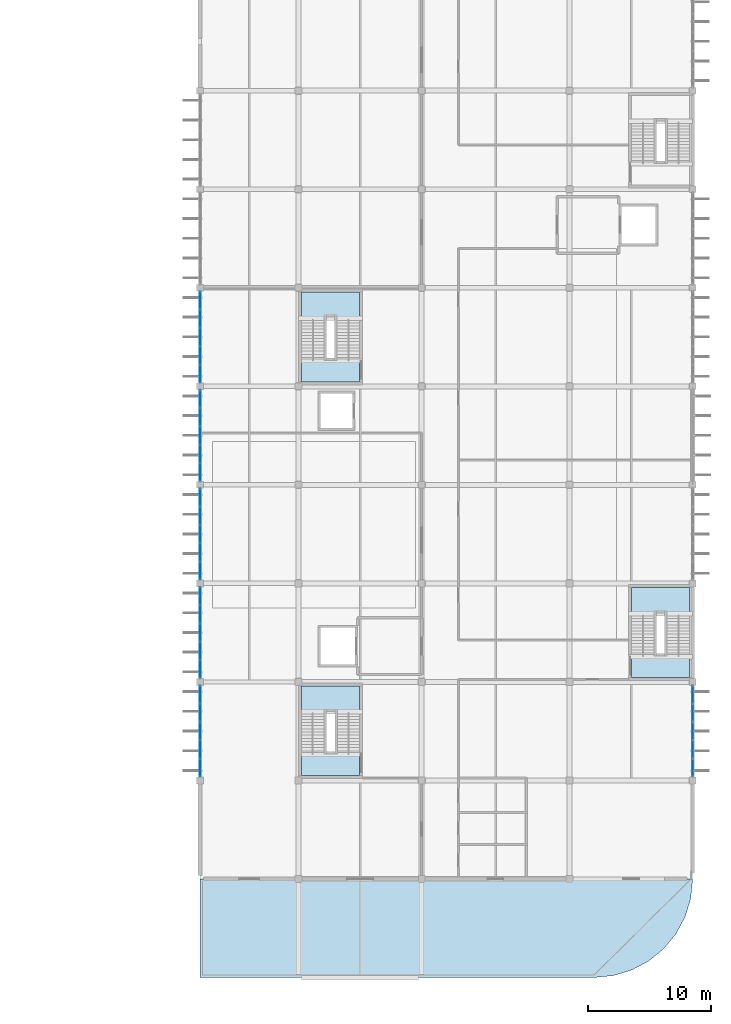
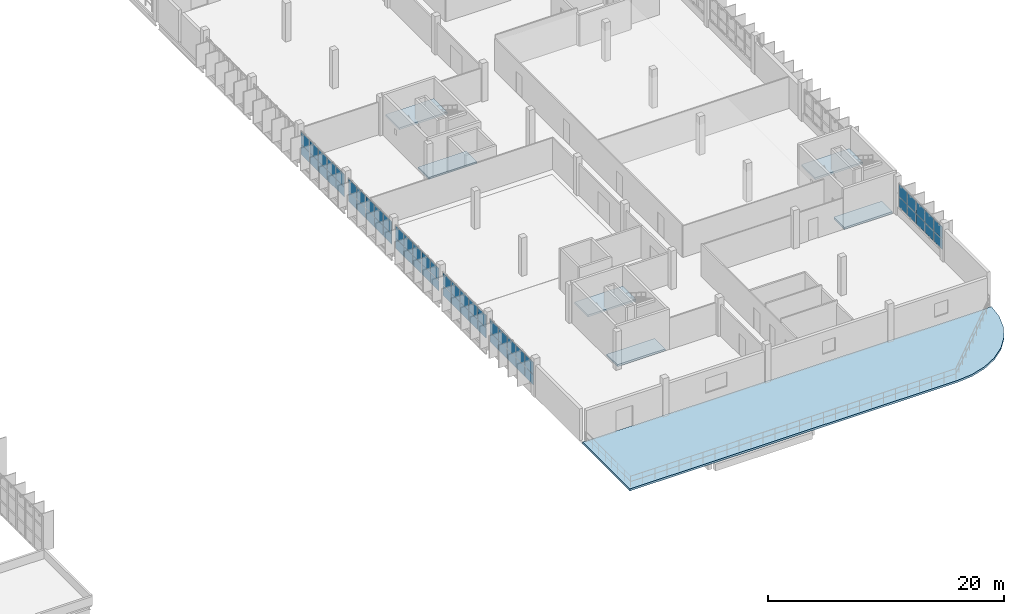
# One storey, part 23 of 38: 60 plates, 7 slabs, 9 elements without a shape of their own.
"""IFC4 building model written with IfcOpenShell, lengths in metres."""

from ifc_helpers import new_model, si_unit, direction, frame, origin, origin_2d, place, context, subcontext, project, spatial, polyline, rectangle, outline, extrude, material, layer, layer_set, type_object, element, aggregate, save


model = new_model("IFC4")

# Units and contexts
model_context = context("Model", 3, precision=1e-05, world=origin(), true_north=direction((0.0, 1.0)))
body_context = subcontext(model_context, "Body", "Model", "MODEL_VIEW")
ifc_project = project(units=[si_unit("LENGTHUNIT", "METRE"), si_unit("AREAUNIT", "SQUARE_METRE"), si_unit("VOLUMEUNIT", "CUBIC_METRE"), si_unit("PLANEANGLEUNIT", "RADIAN"), si_unit("MASSUNIT", "GRAM", prefix="KILO")], contexts=[model_context])

# Site, building, storey
site_placement = place(None, origin())
site = spatial("IfcSite", under=ifc_project, at=site_placement, CompositionType="ELEMENT")
building_placement = place(site_placement, origin())
building = spatial("IfcBuilding", under=site, at=building_placement, Name="Drelvana Railside Aquatics Centre", CompositionType="ELEMENT")
storey_placement = place(building_placement, frame((0.0, 0.0, 14.39990234375)))
storey = spatial("IfcBuildingStorey", under=building, at=storey_placement, Name="L03", CompositionType="ELEMENT", Elevation=14.39990234375)

# Curtain wall, plates
ifc_material_1 = material(Name="Bronze-anodised aluminium curtain wall", Category="aluminium")
ifc_layer_1 = layer(ifc_material_1, 0.175048828125, Name="Bronze-anodised aluminium curtain wall")
ifc_layer_set_1 = layer_set([ifc_layer_1], Name="Bronze-anodised aluminium curtain wall")
curtain_wall_type = type_object("IfcCurtainWallType", Name="CW-Z6-WING", PredefinedType="NOTDEFINED", material=ifc_layer_set_1)
curtain_wall_1_placement = place(storey_placement, origin())
curtain_wall_1 = element("IfcCurtainWall", 1, at=curtain_wall_1_placement, inside=storey, type_object=curtain_wall_type, Name="Curtain wall CW-06-139", PredefinedType="NOTDEFINED")
ifc_material_2 = material(Name="Double-glazed low-e solar-control glass", Category="glass")
ifc_layer_2 = layer(ifc_material_2, 0.02392578125, Name="Double-glazed low-e solar-control glass")
ifc_layer_set_2 = layer_set([ifc_layer_2], Name="Double-glazed low-e solar-control glass")
plate_type = type_object("IfcPlateType", Name="CW-Z6-WING-PAN", PredefinedType="CURTAIN_PANEL", material=ifc_layer_set_2)
plate_1_placement = place(storey_placement, frame((144.0, 25.031494140625, 0.84912109375), z_axis=(0.0, 0.0, 1.0), x_axis=(0.0, 1.0, 0.0)))
plate_1 = element("IfcPlate", 2, at=plate_1_placement, type_object=plate_type, Name="CW-06 panel 1.1", PredefinedType="CURTAIN_PANEL", context=body_context, shape_type="SweptSolid", body=[
    extrude(rectangle(XDim=1.40478515625, YDim=0.02392578125, at=origin_2d()), origin(), (0.0, 0.0, 1.0), 1.02490234375),
])
plate_2_placement = place(storey_placement, frame((144.0, 25.031494140625, 1.924072265625), z_axis=(0.0, 0.0, 1.0), x_axis=(0.0, 1.0, 0.0)))
plate_2 = element("IfcPlate", 3, at=plate_2_placement, type_object=plate_type, Name="CW-06 panel 1.2", PredefinedType="CURTAIN_PANEL", context=body_context, shape_type="SweptSolid", body=[
    extrude(rectangle(XDim=1.40478515625, YDim=0.02392578125, at=origin_2d()), origin(), (0.0, 0.0, 1.0), 1.27099609375),
])
plate_3_placement = place(storey_placement, frame((144.0, 26.507568359375, 0.84912109375), z_axis=(0.0, 0.0, 1.0), x_axis=(0.0, 1.0, 0.0)))
plate_3 = element("IfcPlate", 4, at=plate_3_placement, type_object=plate_type, Name="CW-06 panel 2.1", PredefinedType="CURTAIN_PANEL", context=body_context, shape_type="SweptSolid", body=[
    extrude(rectangle(XDim=1.4375, YDim=0.02392578125, at=origin_2d()), origin(), (0.0, 0.0, 1.0), 1.02490234375),
])
plate_4_placement = place(storey_placement, frame((144.0, 26.507568359375, 1.924072265625), z_axis=(0.0, 0.0, 1.0), x_axis=(0.0, 1.0, 0.0)))
plate_4 = element("IfcPlate", 5, at=plate_4_placement, type_object=plate_type, Name="CW-06 panel 2.2", PredefinedType="CURTAIN_PANEL", context=body_context, shape_type="SweptSolid", body=[
    extrude(rectangle(XDim=1.4375, YDim=0.02392578125, at=origin_2d()), origin(), (0.0, 0.0, 1.0), 1.27099609375),
])
plate_5_placement = place(storey_placement, frame((144.0, 28.0, 0.84912109375), z_axis=(0.0, 0.0, 1.0), x_axis=(0.0, 1.0, 0.0)))
plate_5 = element("IfcPlate", 6, at=plate_5_placement, type_object=plate_type, Name="CW-06 panel 3.1", PredefinedType="CURTAIN_PANEL", context=body_context, shape_type="SweptSolid", body=[
    extrude(rectangle(XDim=1.4375, YDim=0.02392578125, at=origin_2d()), origin(), (0.0, 0.0, 1.0), 1.02490234375),
])
plate_6_placement = place(storey_placement, frame((144.0, 28.0, 1.924072265625), z_axis=(0.0, 0.0, 1.0), x_axis=(0.0, 1.0, 0.0)))
plate_6 = element("IfcPlate", 7, at=plate_6_placement, type_object=plate_type, Name="CW-06 panel 3.2", PredefinedType="CURTAIN_PANEL", context=body_context, shape_type="SweptSolid", body=[
    extrude(rectangle(XDim=1.4375, YDim=0.02392578125, at=origin_2d()), origin(), (0.0, 0.0, 1.0), 1.27099609375),
])
plate_7_placement = place(storey_placement, frame((144.0, 29.492431640625, 0.84912109375), z_axis=(0.0, 0.0, 1.0), x_axis=(0.0, 1.0, 0.0)))
plate_7 = element("IfcPlate", 8, at=plate_7_placement, type_object=plate_type, Name="CW-06 panel 4.1", PredefinedType="CURTAIN_PANEL", context=body_context, shape_type="SweptSolid", body=[
    extrude(rectangle(XDim=1.4375, YDim=0.02392578125, at=origin_2d()), origin(), (0.0, 0.0, 1.0), 1.02490234375),
])
plate_8_placement = place(storey_placement, frame((144.0, 29.492431640625, 1.924072265625), z_axis=(0.0, 0.0, 1.0), x_axis=(0.0, 1.0, 0.0)))
plate_8 = element("IfcPlate", 9, at=plate_8_placement, type_object=plate_type, Name="CW-06 panel 4.2", PredefinedType="CURTAIN_PANEL", context=body_context, shape_type="SweptSolid", body=[
    extrude(rectangle(XDim=1.4375, YDim=0.02392578125, at=origin_2d()), origin(), (0.0, 0.0, 1.0), 1.27099609375),
])
plate_9_placement = place(storey_placement, frame((144.0, 30.968505859375, 0.84912109375), z_axis=(0.0, 0.0, 1.0), x_axis=(0.0, 1.0, 0.0)))
plate_9 = element("IfcPlate", 10, at=plate_9_placement, type_object=plate_type, Name="CW-06 panel 5.1", PredefinedType="CURTAIN_PANEL", context=body_context, shape_type="SweptSolid", body=[
    extrude(rectangle(XDim=1.40478515625, YDim=0.02392578125, at=origin_2d()), origin(), (0.0, 0.0, 1.0), 1.02490234375),
])
plate_10_placement = place(storey_placement, frame((144.0, 30.968505859375, 1.924072265625), z_axis=(0.0, 0.0, 1.0), x_axis=(0.0, 1.0, 0.0)))
plate_10 = element("IfcPlate", 11, at=plate_10_placement, type_object=plate_type, Name="CW-06 panel 5.2", PredefinedType="CURTAIN_PANEL", context=body_context, shape_type="SweptSolid", body=[
    extrude(rectangle(XDim=1.40478515625, YDim=0.02392578125, at=origin_2d()), origin(), (0.0, 0.0, 1.0), 1.27099609375),
])
aggregate(curtain_wall_1, [plate_1, plate_2, plate_3, plate_4, plate_5, plate_6, plate_7, plate_8, plate_9, plate_10])

curtain_wall_2_placement = place(storey_placement, origin())
curtain_wall_2 = element("IfcCurtainWall", 12, at=curtain_wall_2_placement, inside=storey, type_object=curtain_wall_type, Name="Curtain wall CW-06-143", PredefinedType="NOTDEFINED")
plate_11_placement = place(storey_placement, frame((144.0, 33.031494140625, 0.84912109375), z_axis=(0.0, 0.0, 1.0), x_axis=(0.0, 1.0, 0.0)))
plate_11 = element("IfcPlate", 13, at=plate_11_placement, type_object=plate_type, Name="CW-06 panel 1.1", PredefinedType="CURTAIN_PANEL", context=body_context, shape_type="SweptSolid", body=[
    extrude(rectangle(XDim=1.40478515625, YDim=0.02392578125, at=origin_2d()), origin(), (0.0, 0.0, 1.0), 1.02490234375),
])
plate_12_placement = place(storey_placement, frame((144.0, 33.031494140625, 1.924072265625), z_axis=(0.0, 0.0, 1.0), x_axis=(0.0, 1.0, 0.0)))
plate_12 = element("IfcPlate", 14, at=plate_12_placement, type_object=plate_type, Name="CW-06 panel 1.2", PredefinedType="CURTAIN_PANEL", context=body_context, shape_type="SweptSolid", body=[
    extrude(rectangle(XDim=1.40478515625, YDim=0.02392578125, at=origin_2d()), origin(), (0.0, 0.0, 1.0), 1.27099609375),
])
plate_13_placement = place(storey_placement, frame((144.0, 34.507568359375, 0.84912109375), z_axis=(0.0, 0.0, 1.0), x_axis=(0.0, 1.0, 0.0)))
plate_13 = element("IfcPlate", 15, at=plate_13_placement, type_object=plate_type, Name="CW-06 panel 2.1", PredefinedType="CURTAIN_PANEL", context=body_context, shape_type="SweptSolid", body=[
    extrude(rectangle(XDim=1.4375, YDim=0.02392578125, at=origin_2d()), origin(), (0.0, 0.0, 1.0), 1.02490234375),
])
plate_14_placement = place(storey_placement, frame((144.0, 34.507568359375, 1.924072265625), z_axis=(0.0, 0.0, 1.0), x_axis=(0.0, 1.0, 0.0)))
plate_14 = element("IfcPlate", 16, at=plate_14_placement, type_object=plate_type, Name="CW-06 panel 2.2", PredefinedType="CURTAIN_PANEL", context=body_context, shape_type="SweptSolid", body=[
    extrude(rectangle(XDim=1.4375, YDim=0.02392578125, at=origin_2d()), origin(), (0.0, 0.0, 1.0), 1.27099609375),
])
plate_15_placement = place(storey_placement, frame((144.0, 36.0, 0.84912109375), z_axis=(0.0, 0.0, 1.0), x_axis=(0.0, 1.0, 0.0)))
plate_15 = element("IfcPlate", 17, at=plate_15_placement, type_object=plate_type, Name="CW-06 panel 3.1", PredefinedType="CURTAIN_PANEL", context=body_context, shape_type="SweptSolid", body=[
    extrude(rectangle(XDim=1.4375, YDim=0.02392578125, at=origin_2d()), origin(), (0.0, 0.0, 1.0), 1.02490234375),
])
plate_16_placement = place(storey_placement, frame((144.0, 36.0, 1.924072265625), z_axis=(0.0, 0.0, 1.0), x_axis=(0.0, 1.0, 0.0)))
plate_16 = element("IfcPlate", 18, at=plate_16_placement, type_object=plate_type, Name="CW-06 panel 3.2", PredefinedType="CURTAIN_PANEL", context=body_context, shape_type="SweptSolid", body=[
    extrude(rectangle(XDim=1.4375, YDim=0.02392578125, at=origin_2d()), origin(), (0.0, 0.0, 1.0), 1.27099609375),
])
plate_17_placement = place(storey_placement, frame((144.0, 37.492431640625, 0.84912109375), z_axis=(0.0, 0.0, 1.0), x_axis=(0.0, 1.0, 0.0)))
plate_17 = element("IfcPlate", 19, at=plate_17_placement, type_object=plate_type, Name="CW-06 panel 4.1", PredefinedType="CURTAIN_PANEL", context=body_context, shape_type="SweptSolid", body=[
    extrude(rectangle(XDim=1.4375, YDim=0.02392578125, at=origin_2d()), origin(), (0.0, 0.0, 1.0), 1.02490234375),
])
plate_18_placement = place(storey_placement, frame((144.0, 37.492431640625, 1.924072265625), z_axis=(0.0, 0.0, 1.0), x_axis=(0.0, 1.0, 0.0)))
plate_18 = element("IfcPlate", 20, at=plate_18_placement, type_object=plate_type, Name="CW-06 panel 4.2", PredefinedType="CURTAIN_PANEL", context=body_context, shape_type="SweptSolid", body=[
    extrude(rectangle(XDim=1.4375, YDim=0.02392578125, at=origin_2d()), origin(), (0.0, 0.0, 1.0), 1.27099609375),
])
plate_19_placement = place(storey_placement, frame((144.0, 38.968505859375, 0.84912109375), z_axis=(0.0, 0.0, 1.0), x_axis=(0.0, 1.0, 0.0)))
plate_19 = element("IfcPlate", 21, at=plate_19_placement, type_object=plate_type, Name="CW-06 panel 5.1", PredefinedType="CURTAIN_PANEL", context=body_context, shape_type="SweptSolid", body=[
    extrude(rectangle(XDim=1.40478515625, YDim=0.02392578125, at=origin_2d()), origin(), (0.0, 0.0, 1.0), 1.02490234375),
])
plate_20_placement = place(storey_placement, frame((144.0, 38.968505859375, 1.924072265625), z_axis=(0.0, 0.0, 1.0), x_axis=(0.0, 1.0, 0.0)))
plate_20 = element("IfcPlate", 22, at=plate_20_placement, type_object=plate_type, Name="CW-06 panel 5.2", PredefinedType="CURTAIN_PANEL", context=body_context, shape_type="SweptSolid", body=[
    extrude(rectangle(XDim=1.40478515625, YDim=0.02392578125, at=origin_2d()), origin(), (0.0, 0.0, 1.0), 1.27099609375),
])
aggregate(curtain_wall_2, [plate_11, plate_12, plate_13, plate_14, plate_15, plate_16, plate_17, plate_18, plate_19, plate_20])

curtain_wall_3_placement = place(storey_placement, origin())
curtain_wall_3 = element("IfcCurtainWall", 23, at=curtain_wall_3_placement, inside=storey, type_object=curtain_wall_type, Name="Curtain wall CW-06-147", PredefinedType="NOTDEFINED")
plate_21_placement = place(storey_placement, frame((144.0, 41.031494140625, 0.84912109375), z_axis=(0.0, 0.0, 1.0), x_axis=(0.0, 1.0, 0.0)))
plate_21 = element("IfcPlate", 24, at=plate_21_placement, type_object=plate_type, Name="CW-06 panel 1.1", PredefinedType="CURTAIN_PANEL", context=body_context, shape_type="SweptSolid", body=[
    extrude(rectangle(XDim=1.40478515625, YDim=0.02392578125, at=origin_2d()), origin(), (0.0, 0.0, 1.0), 1.02490234375),
])
plate_22_placement = place(storey_placement, frame((144.0, 41.031494140625, 1.924072265625), z_axis=(0.0, 0.0, 1.0), x_axis=(0.0, 1.0, 0.0)))
plate_22 = element("IfcPlate", 25, at=plate_22_placement, type_object=plate_type, Name="CW-06 panel 1.2", PredefinedType="CURTAIN_PANEL", context=body_context, shape_type="SweptSolid", body=[
    extrude(rectangle(XDim=1.40478515625, YDim=0.02392578125, at=origin_2d()), origin(), (0.0, 0.0, 1.0), 1.27099609375),
])
plate_23_placement = place(storey_placement, frame((144.0, 42.507568359375, 0.84912109375), z_axis=(0.0, 0.0, 1.0), x_axis=(0.0, 1.0, 0.0)))
plate_23 = element("IfcPlate", 26, at=plate_23_placement, type_object=plate_type, Name="CW-06 panel 2.1", PredefinedType="CURTAIN_PANEL", context=body_context, shape_type="SweptSolid", body=[
    extrude(rectangle(XDim=1.4375, YDim=0.02392578125, at=origin_2d()), origin(), (0.0, 0.0, 1.0), 1.02490234375),
])
plate_24_placement = place(storey_placement, frame((144.0, 42.507568359375, 1.924072265625), z_axis=(0.0, 0.0, 1.0), x_axis=(0.0, 1.0, 0.0)))
plate_24 = element("IfcPlate", 27, at=plate_24_placement, type_object=plate_type, Name="CW-06 panel 2.2", PredefinedType="CURTAIN_PANEL", context=body_context, shape_type="SweptSolid", body=[
    extrude(rectangle(XDim=1.4375, YDim=0.02392578125, at=origin_2d()), origin(), (0.0, 0.0, 1.0), 1.27099609375),
])
plate_25_placement = place(storey_placement, frame((144.0, 44.0, 0.84912109375), z_axis=(0.0, 0.0, 1.0), x_axis=(0.0, 1.0, 0.0)))
plate_25 = element("IfcPlate", 28, at=plate_25_placement, type_object=plate_type, Name="CW-06 panel 3.1", PredefinedType="CURTAIN_PANEL", context=body_context, shape_type="SweptSolid", body=[
    extrude(rectangle(XDim=1.4375, YDim=0.02392578125, at=origin_2d()), origin(), (0.0, 0.0, 1.0), 1.02490234375),
])
plate_26_placement = place(storey_placement, frame((144.0, 44.0, 1.924072265625), z_axis=(0.0, 0.0, 1.0), x_axis=(0.0, 1.0, 0.0)))
plate_26 = element("IfcPlate", 29, at=plate_26_placement, type_object=plate_type, Name="CW-06 panel 3.2", PredefinedType="CURTAIN_PANEL", context=body_context, shape_type="SweptSolid", body=[
    extrude(rectangle(XDim=1.4375, YDim=0.02392578125, at=origin_2d()), origin(), (0.0, 0.0, 1.0), 1.27099609375),
])
plate_27_placement = place(storey_placement, frame((144.0, 45.492431640625, 0.84912109375), z_axis=(0.0, 0.0, 1.0), x_axis=(0.0, 1.0, 0.0)))
plate_27 = element("IfcPlate", 30, at=plate_27_placement, type_object=plate_type, Name="CW-06 panel 4.1", PredefinedType="CURTAIN_PANEL", context=body_context, shape_type="SweptSolid", body=[
    extrude(rectangle(XDim=1.4375, YDim=0.02392578125, at=origin_2d()), origin(), (0.0, 0.0, 1.0), 1.02490234375),
])
plate_28_placement = place(storey_placement, frame((144.0, 45.492431640625, 1.924072265625), z_axis=(0.0, 0.0, 1.0), x_axis=(0.0, 1.0, 0.0)))
plate_28 = element("IfcPlate", 31, at=plate_28_placement, type_object=plate_type, Name="CW-06 panel 4.2", PredefinedType="CURTAIN_PANEL", context=body_context, shape_type="SweptSolid", body=[
    extrude(rectangle(XDim=1.4375, YDim=0.02392578125, at=origin_2d()), origin(), (0.0, 0.0, 1.0), 1.27099609375),
])
plate_29_placement = place(storey_placement, frame((144.0, 46.968505859375, 0.84912109375), z_axis=(0.0, 0.0, 1.0), x_axis=(0.0, 1.0, 0.0)))
plate_29 = element("IfcPlate", 32, at=plate_29_placement, type_object=plate_type, Name="CW-06 panel 5.1", PredefinedType="CURTAIN_PANEL", context=body_context, shape_type="SweptSolid", body=[
    extrude(rectangle(XDim=1.40478515625, YDim=0.02392578125, at=origin_2d()), origin(), (0.0, 0.0, 1.0), 1.02490234375),
])
plate_30_placement = place(storey_placement, frame((144.0, 46.968505859375, 1.924072265625), z_axis=(0.0, 0.0, 1.0), x_axis=(0.0, 1.0, 0.0)))
plate_30 = element("IfcPlate", 33, at=plate_30_placement, type_object=plate_type, Name="CW-06 panel 5.2", PredefinedType="CURTAIN_PANEL", context=body_context, shape_type="SweptSolid", body=[
    extrude(rectangle(XDim=1.40478515625, YDim=0.02392578125, at=origin_2d()), origin(), (0.0, 0.0, 1.0), 1.27099609375),
])
aggregate(curtain_wall_3, [plate_21, plate_22, plate_23, plate_24, plate_25, plate_26, plate_27, plate_28, plate_29, plate_30])

curtain_wall_4_placement = place(storey_placement, origin())
curtain_wall_4 = element("IfcCurtainWall", 34, at=curtain_wall_4_placement, inside=storey, type_object=curtain_wall_type, Name="Curtain wall CW-06-151", PredefinedType="NOTDEFINED")
plate_31_placement = place(storey_placement, frame((144.0, 49.031494140625, 0.84912109375), z_axis=(0.0, 0.0, 1.0), x_axis=(0.0, 1.0, 0.0)))
plate_31 = element("IfcPlate", 35, at=plate_31_placement, type_object=plate_type, Name="CW-06 panel 1.1", PredefinedType="CURTAIN_PANEL", context=body_context, shape_type="SweptSolid", body=[
    extrude(rectangle(XDim=1.40478515625, YDim=0.02392578125, at=origin_2d()), origin(), (0.0, 0.0, 1.0), 1.02490234375),
])
plate_32_placement = place(storey_placement, frame((144.0, 49.031494140625, 1.924072265625), z_axis=(0.0, 0.0, 1.0), x_axis=(0.0, 1.0, 0.0)))
plate_32 = element("IfcPlate", 36, at=plate_32_placement, type_object=plate_type, Name="CW-06 panel 1.2", PredefinedType="CURTAIN_PANEL", context=body_context, shape_type="SweptSolid", body=[
    extrude(rectangle(XDim=1.40478515625, YDim=0.02392578125, at=origin_2d()), origin(), (0.0, 0.0, 1.0), 1.27099609375),
])
plate_33_placement = place(storey_placement, frame((144.0, 50.507568359375, 0.84912109375), z_axis=(0.0, 0.0, 1.0), x_axis=(0.0, 1.0, 0.0)))
plate_33 = element("IfcPlate", 37, at=plate_33_placement, type_object=plate_type, Name="CW-06 panel 2.1", PredefinedType="CURTAIN_PANEL", context=body_context, shape_type="SweptSolid", body=[
    extrude(rectangle(XDim=1.4375, YDim=0.02392578125, at=origin_2d()), origin(), (0.0, 0.0, 1.0), 1.02490234375),
])
plate_34_placement = place(storey_placement, frame((144.0, 50.507568359375, 1.924072265625), z_axis=(0.0, 0.0, 1.0), x_axis=(0.0, 1.0, 0.0)))
plate_34 = element("IfcPlate", 38, at=plate_34_placement, type_object=plate_type, Name="CW-06 panel 2.2", PredefinedType="CURTAIN_PANEL", context=body_context, shape_type="SweptSolid", body=[
    extrude(rectangle(XDim=1.4375, YDim=0.02392578125, at=origin_2d()), origin(), (0.0, 0.0, 1.0), 1.27099609375),
])
plate_35_placement = place(storey_placement, frame((144.0, 52.0, 0.84912109375), z_axis=(0.0, 0.0, 1.0), x_axis=(0.0, 1.0, 0.0)))
plate_35 = element("IfcPlate", 39, at=plate_35_placement, type_object=plate_type, Name="CW-06 panel 3.1", PredefinedType="CURTAIN_PANEL", context=body_context, shape_type="SweptSolid", body=[
    extrude(rectangle(XDim=1.4375, YDim=0.02392578125, at=origin_2d()), origin(), (0.0, 0.0, 1.0), 1.02490234375),
])
plate_36_placement = place(storey_placement, frame((144.0, 52.0, 1.924072265625), z_axis=(0.0, 0.0, 1.0), x_axis=(0.0, 1.0, 0.0)))
plate_36 = element("IfcPlate", 40, at=plate_36_placement, type_object=plate_type, Name="CW-06 panel 3.2", PredefinedType="CURTAIN_PANEL", context=body_context, shape_type="SweptSolid", body=[
    extrude(rectangle(XDim=1.4375, YDim=0.02392578125, at=origin_2d()), origin(), (0.0, 0.0, 1.0), 1.27099609375),
])
plate_37_placement = place(storey_placement, frame((144.0, 53.492431640625, 0.84912109375), z_axis=(0.0, 0.0, 1.0), x_axis=(0.0, 1.0, 0.0)))
plate_37 = element("IfcPlate", 41, at=plate_37_placement, type_object=plate_type, Name="CW-06 panel 4.1", PredefinedType="CURTAIN_PANEL", context=body_context, shape_type="SweptSolid", body=[
    extrude(rectangle(XDim=1.4375, YDim=0.02392578125, at=origin_2d()), origin(), (0.0, 0.0, 1.0), 1.02490234375),
])
plate_38_placement = place(storey_placement, frame((144.0, 53.492431640625, 1.924072265625), z_axis=(0.0, 0.0, 1.0), x_axis=(0.0, 1.0, 0.0)))
plate_38 = element("IfcPlate", 42, at=plate_38_placement, type_object=plate_type, Name="CW-06 panel 4.2", PredefinedType="CURTAIN_PANEL", context=body_context, shape_type="SweptSolid", body=[
    extrude(rectangle(XDim=1.4375, YDim=0.02392578125, at=origin_2d()), origin(), (0.0, 0.0, 1.0), 1.27099609375),
])
plate_39_placement = place(storey_placement, frame((144.0, 54.968505859375, 0.84912109375), z_axis=(0.0, 0.0, 1.0), x_axis=(0.0, 1.0, 0.0)))
plate_39 = element("IfcPlate", 43, at=plate_39_placement, type_object=plate_type, Name="CW-06 panel 5.1", PredefinedType="CURTAIN_PANEL", context=body_context, shape_type="SweptSolid", body=[
    extrude(rectangle(XDim=1.40478515625, YDim=0.02392578125, at=origin_2d()), origin(), (0.0, 0.0, 1.0), 1.02490234375),
])
plate_40_placement = place(storey_placement, frame((144.0, 54.968505859375, 1.924072265625), z_axis=(0.0, 0.0, 1.0), x_axis=(0.0, 1.0, 0.0)))
plate_40 = element("IfcPlate", 44, at=plate_40_placement, type_object=plate_type, Name="CW-06 panel 5.2", PredefinedType="CURTAIN_PANEL", context=body_context, shape_type="SweptSolid", body=[
    extrude(rectangle(XDim=1.40478515625, YDim=0.02392578125, at=origin_2d()), origin(), (0.0, 0.0, 1.0), 1.27099609375),
])
aggregate(curtain_wall_4, [plate_31, plate_32, plate_33, plate_34, plate_35, plate_36, plate_37, plate_38, plate_39, plate_40])

curtain_wall_5_placement = place(storey_placement, origin())
curtain_wall_5 = element("IfcCurtainWall", 45, at=curtain_wall_5_placement, inside=storey, type_object=curtain_wall_type, Name="Curtain wall CW-06-154", PredefinedType="NOTDEFINED")
plate_41_placement = place(storey_placement, frame((144.0, 57.031494140625, 0.84912109375), z_axis=(0.0, 0.0, 1.0), x_axis=(0.0, 1.0, 0.0)))
plate_41 = element("IfcPlate", 46, at=plate_41_placement, type_object=plate_type, Name="CW-06 panel 1.1", PredefinedType="CURTAIN_PANEL", context=body_context, shape_type="SweptSolid", body=[
    extrude(rectangle(XDim=1.40478515625, YDim=0.02392578125, at=origin_2d()), origin(), (0.0, 0.0, 1.0), 1.02490234375),
])
plate_42_placement = place(storey_placement, frame((144.0, 57.031494140625, 1.924072265625), z_axis=(0.0, 0.0, 1.0), x_axis=(0.0, 1.0, 0.0)))
plate_42 = element("IfcPlate", 47, at=plate_42_placement, type_object=plate_type, Name="CW-06 panel 1.2", PredefinedType="CURTAIN_PANEL", context=body_context, shape_type="SweptSolid", body=[
    extrude(rectangle(XDim=1.40478515625, YDim=0.02392578125, at=origin_2d()), origin(), (0.0, 0.0, 1.0), 1.27099609375),
])
plate_43_placement = place(storey_placement, frame((144.0, 58.507568359375, 0.84912109375), z_axis=(0.0, 0.0, 1.0), x_axis=(0.0, 1.0, 0.0)))
plate_43 = element("IfcPlate", 48, at=plate_43_placement, type_object=plate_type, Name="CW-06 panel 2.1", PredefinedType="CURTAIN_PANEL", context=body_context, shape_type="SweptSolid", body=[
    extrude(rectangle(XDim=1.4375, YDim=0.02392578125, at=origin_2d()), origin(), (0.0, 0.0, 1.0), 1.02490234375),
])
plate_44_placement = place(storey_placement, frame((144.0, 58.507568359375, 1.924072265625), z_axis=(0.0, 0.0, 1.0), x_axis=(0.0, 1.0, 0.0)))
plate_44 = element("IfcPlate", 49, at=plate_44_placement, type_object=plate_type, Name="CW-06 panel 2.2", PredefinedType="CURTAIN_PANEL", context=body_context, shape_type="SweptSolid", body=[
    extrude(rectangle(XDim=1.4375, YDim=0.02392578125, at=origin_2d()), origin(), (0.0, 0.0, 1.0), 1.27099609375),
])
plate_45_placement = place(storey_placement, frame((144.0, 60.0, 0.84912109375), z_axis=(0.0, 0.0, 1.0), x_axis=(0.0, 1.0, 0.0)))
plate_45 = element("IfcPlate", 50, at=plate_45_placement, type_object=plate_type, Name="CW-06 panel 3.1", PredefinedType="CURTAIN_PANEL", context=body_context, shape_type="SweptSolid", body=[
    extrude(rectangle(XDim=1.4375, YDim=0.02392578125, at=origin_2d()), origin(), (0.0, 0.0, 1.0), 1.02490234375),
])
plate_46_placement = place(storey_placement, frame((144.0, 60.0, 1.924072265625), z_axis=(0.0, 0.0, 1.0), x_axis=(0.0, 1.0, 0.0)))
plate_46 = element("IfcPlate", 51, at=plate_46_placement, type_object=plate_type, Name="CW-06 panel 3.2", PredefinedType="CURTAIN_PANEL", context=body_context, shape_type="SweptSolid", body=[
    extrude(rectangle(XDim=1.4375, YDim=0.02392578125, at=origin_2d()), origin(), (0.0, 0.0, 1.0), 1.27099609375),
])
plate_47_placement = place(storey_placement, frame((144.0, 61.492431640625, 0.84912109375), z_axis=(0.0, 0.0, 1.0), x_axis=(0.0, 1.0, 0.0)))
plate_47 = element("IfcPlate", 52, at=plate_47_placement, type_object=plate_type, Name="CW-06 panel 4.1", PredefinedType="CURTAIN_PANEL", context=body_context, shape_type="SweptSolid", body=[
    extrude(rectangle(XDim=1.4375, YDim=0.02392578125, at=origin_2d()), origin(), (0.0, 0.0, 1.0), 1.02490234375),
])
plate_48_placement = place(storey_placement, frame((144.0, 61.492431640625, 1.924072265625), z_axis=(0.0, 0.0, 1.0), x_axis=(0.0, 1.0, 0.0)))
plate_48 = element("IfcPlate", 53, at=plate_48_placement, type_object=plate_type, Name="CW-06 panel 4.2", PredefinedType="CURTAIN_PANEL", context=body_context, shape_type="SweptSolid", body=[
    extrude(rectangle(XDim=1.4375, YDim=0.02392578125, at=origin_2d()), origin(), (0.0, 0.0, 1.0), 1.27099609375),
])
plate_49_placement = place(storey_placement, frame((144.0, 62.968505859375, 0.84912109375), z_axis=(0.0, 0.0, 1.0), x_axis=(0.0, 1.0, 0.0)))
plate_49 = element("IfcPlate", 54, at=plate_49_placement, type_object=plate_type, Name="CW-06 panel 5.1", PredefinedType="CURTAIN_PANEL", context=body_context, shape_type="SweptSolid", body=[
    extrude(rectangle(XDim=1.40478515625, YDim=0.02392578125, at=origin_2d()), origin(), (0.0, 0.0, 1.0), 1.02490234375),
])
plate_50_placement = place(storey_placement, frame((144.0, 62.968505859375, 1.924072265625), z_axis=(0.0, 0.0, 1.0), x_axis=(0.0, 1.0, 0.0)))
plate_50 = element("IfcPlate", 55, at=plate_50_placement, type_object=plate_type, Name="CW-06 panel 5.2", PredefinedType="CURTAIN_PANEL", context=body_context, shape_type="SweptSolid", body=[
    extrude(rectangle(XDim=1.40478515625, YDim=0.02392578125, at=origin_2d()), origin(), (0.0, 0.0, 1.0), 1.27099609375),
])
aggregate(curtain_wall_5, [plate_41, plate_42, plate_43, plate_44, plate_45, plate_46, plate_47, plate_48, plate_49, plate_50])

curtain_wall_6_placement = place(storey_placement, origin())
curtain_wall_6 = element("IfcCurtainWall", 56, at=curtain_wall_6_placement, inside=storey, type_object=curtain_wall_type, Name="Curtain wall CW-06-169", PredefinedType="NOTDEFINED")
plate_51_placement = place(storey_placement, frame((184.0, 25.031494140625, 0.84912109375), z_axis=(0.0, 0.0, 1.0), x_axis=(0.0, 1.0, 0.0)))
plate_51 = element("IfcPlate", 57, at=plate_51_placement, type_object=plate_type, Name="CW-06 panel 1.1", PredefinedType="CURTAIN_PANEL", context=body_context, shape_type="SweptSolid", body=[
    extrude(rectangle(XDim=1.40478515625, YDim=0.02392578125, at=origin_2d()), origin(), (0.0, 0.0, 1.0), 1.02490234375),
])
plate_52_placement = place(storey_placement, frame((184.0, 25.031494140625, 1.924072265625), z_axis=(0.0, 0.0, 1.0), x_axis=(0.0, 1.0, 0.0)))
plate_52 = element("IfcPlate", 58, at=plate_52_placement, type_object=plate_type, Name="CW-06 panel 1.2", PredefinedType="CURTAIN_PANEL", context=body_context, shape_type="SweptSolid", body=[
    extrude(rectangle(XDim=1.40478515625, YDim=0.02392578125, at=origin_2d()), origin(), (0.0, 0.0, 1.0), 1.27099609375),
])
plate_53_placement = place(storey_placement, frame((184.0, 26.507568359375, 0.84912109375), z_axis=(0.0, 0.0, 1.0), x_axis=(0.0, 1.0, 0.0)))
plate_53 = element("IfcPlate", 59, at=plate_53_placement, type_object=plate_type, Name="CW-06 panel 2.1", PredefinedType="CURTAIN_PANEL", context=body_context, shape_type="SweptSolid", body=[
    extrude(rectangle(XDim=1.4375, YDim=0.02392578125, at=origin_2d()), origin(), (0.0, 0.0, 1.0), 1.02490234375),
])
plate_54_placement = place(storey_placement, frame((184.0, 26.507568359375, 1.924072265625), z_axis=(0.0, 0.0, 1.0), x_axis=(0.0, 1.0, 0.0)))
plate_54 = element("IfcPlate", 60, at=plate_54_placement, type_object=plate_type, Name="CW-06 panel 2.2", PredefinedType="CURTAIN_PANEL", context=body_context, shape_type="SweptSolid", body=[
    extrude(rectangle(XDim=1.4375, YDim=0.02392578125, at=origin_2d()), origin(), (0.0, 0.0, 1.0), 1.27099609375),
])
plate_55_placement = place(storey_placement, frame((184.0, 28.0, 0.84912109375), z_axis=(0.0, 0.0, 1.0), x_axis=(0.0, 1.0, 0.0)))
plate_55 = element("IfcPlate", 61, at=plate_55_placement, type_object=plate_type, Name="CW-06 panel 3.1", PredefinedType="CURTAIN_PANEL", context=body_context, shape_type="SweptSolid", body=[
    extrude(rectangle(XDim=1.4375, YDim=0.02392578125, at=origin_2d()), origin(), (0.0, 0.0, 1.0), 1.02490234375),
])
plate_56_placement = place(storey_placement, frame((184.0, 28.0, 1.924072265625), z_axis=(0.0, 0.0, 1.0), x_axis=(0.0, 1.0, 0.0)))
plate_56 = element("IfcPlate", 62, at=plate_56_placement, type_object=plate_type, Name="CW-06 panel 3.2", PredefinedType="CURTAIN_PANEL", context=body_context, shape_type="SweptSolid", body=[
    extrude(rectangle(XDim=1.4375, YDim=0.02392578125, at=origin_2d()), origin(), (0.0, 0.0, 1.0), 1.27099609375),
])
plate_57_placement = place(storey_placement, frame((184.0, 29.492431640625, 0.84912109375), z_axis=(0.0, 0.0, 1.0), x_axis=(0.0, 1.0, 0.0)))
plate_57 = element("IfcPlate", 63, at=plate_57_placement, type_object=plate_type, Name="CW-06 panel 4.1", PredefinedType="CURTAIN_PANEL", context=body_context, shape_type="SweptSolid", body=[
    extrude(rectangle(XDim=1.4375, YDim=0.02392578125, at=origin_2d()), origin(), (0.0, 0.0, 1.0), 1.02490234375),
])
plate_58_placement = place(storey_placement, frame((184.0, 29.492431640625, 1.924072265625), z_axis=(0.0, 0.0, 1.0), x_axis=(0.0, 1.0, 0.0)))
plate_58 = element("IfcPlate", 64, at=plate_58_placement, type_object=plate_type, Name="CW-06 panel 4.2", PredefinedType="CURTAIN_PANEL", context=body_context, shape_type="SweptSolid", body=[
    extrude(rectangle(XDim=1.4375, YDim=0.02392578125, at=origin_2d()), origin(), (0.0, 0.0, 1.0), 1.27099609375),
])
plate_59_placement = place(storey_placement, frame((184.0, 30.968505859375, 0.84912109375), z_axis=(0.0, 0.0, 1.0), x_axis=(0.0, 1.0, 0.0)))
plate_59 = element("IfcPlate", 65, at=plate_59_placement, type_object=plate_type, Name="CW-06 panel 5.1", PredefinedType="CURTAIN_PANEL", context=body_context, shape_type="SweptSolid", body=[
    extrude(rectangle(XDim=1.40478515625, YDim=0.02392578125, at=origin_2d()), origin(), (0.0, 0.0, 1.0), 1.02490234375),
])
plate_60_placement = place(storey_placement, frame((184.0, 30.968505859375, 1.924072265625), z_axis=(0.0, 0.0, 1.0), x_axis=(0.0, 1.0, 0.0)))
plate_60 = element("IfcPlate", 66, at=plate_60_placement, type_object=plate_type, Name="CW-06 panel 5.2", PredefinedType="CURTAIN_PANEL", context=body_context, shape_type="SweptSolid", body=[
    extrude(rectangle(XDim=1.40478515625, YDim=0.02392578125, at=origin_2d()), origin(), (0.0, 0.0, 1.0), 1.27099609375),
])
aggregate(curtain_wall_6, [plate_51, plate_52, plate_53, plate_54, plate_55, plate_56, plate_57, plate_58, plate_59, plate_60])

# Slab
ifc_material_3 = material(Name="Concrete C40/50", Category="concrete")
ifc_layer_3 = layer(ifc_material_3, 0.199951171875, Name="Concrete C40/50")
ifc_layer_set_3 = layer_set([ifc_layer_3], Name="Concrete C40/50")
slab_type_1 = type_object("IfcSlabType", Name="SL-LAND-200", PredefinedType="LANDING", material=ifc_layer_set_3)
slab_1_placement = place(storey_placement, frame((0.0, 0.0, -0.199951171875)))
element("IfcSlab", 67, at=slab_1_placement, inside=storey, type_object=slab_type_1, Name="Stair ST-06 L03 floor landing", PredefinedType="LANDING", context=body_context, shape_type="SweptSolid", body=[
    extrude(outline(polyline([(152.25, 24.409912109375), (156.949951171875, 24.409912109375), (156.949951171875, 26.2099609375), (152.25, 26.2099609375), (152.25, 24.409912109375)])), origin(), (0.0, 0.0, 1.0), 0.199951171875),
])

# Stair, slab
stair_type_1 = type_object("IfcStairType", Name="ST-CORE-W160", PredefinedType="HALF_TURN_STAIR", material=ifc_material_3)
stair_1_placement = place(storey_placement, origin())
stair_1 = element("IfcStair", 68, at=stair_1_placement, inside=storey, type_object=stair_type_1, Name="Exit stair ST-06 (L03 to L04)", PredefinedType="HALF_TURN_STAIR")
slab_2_placement = place(storey_placement, frame((0.0, 0.0, 1.900146484375)))
slab_2 = element("IfcSlab", 69, at=slab_2_placement, type_object=slab_type_1, Name="ST-NR landing 1", PredefinedType="LANDING", context=body_context, shape_type="SweptSolid", body=[
    extrude(outline(polyline([(152.25, 29.405029296875), (156.949951171875, 29.405029296875), (156.949951171875, 31.64990234375), (152.25, 31.64990234375), (152.25, 29.405029296875)])), origin(), (0.0, 0.0, 1.0), 0.199951171875),
])
aggregate(stair_1, [slab_2])

# Slab
slab_3_placement = place(storey_placement, frame((0.0, 0.0, -0.199951171875)))
element("IfcSlab", 70, at=slab_3_placement, inside=storey, type_object=slab_type_1, Name="Stair ST-08 L03 floor landing", PredefinedType="LANDING", context=body_context, shape_type="SweptSolid", body=[
    extrude(outline(polyline([(152.25, 56.35009765625), (156.949951171875, 56.35009765625), (156.949951171875, 58.14990234375), (152.25, 58.14990234375), (152.25, 56.35009765625)])), origin(), (0.0, 0.0, 1.0), 0.199951171875),
])

# Stair, slab
stair_type_2 = type_object("IfcStairType", Name="ST-CORE-W170", PredefinedType="HALF_TURN_STAIR", material=ifc_material_3)
stair_2_placement = place(storey_placement, origin())
stair_2 = element("IfcStair", 71, at=stair_2_placement, inside=storey, type_object=stair_type_2, Name="Exit stair ST-08 (L03 to L04)", PredefinedType="HALF_TURN_STAIR")
slab_4_placement = place(storey_placement, frame((0.0, 0.0, 1.900146484375)))
slab_4 = element("IfcSlab", 72, at=slab_4_placement, type_object=slab_type_1, Name="ST-WD landing 1", PredefinedType="LANDING", context=body_context, shape_type="SweptSolid", body=[
    extrude(outline(polyline([(152.25, 61.344970703125), (156.949951171875, 61.344970703125), (156.949951171875, 63.64990234375), (152.25, 63.64990234375), (152.25, 61.344970703125)])), origin(), (0.0, 0.0, 1.0), 0.199951171875),
])
aggregate(stair_2, [slab_4])

# Slab
slab_5_placement = place(storey_placement, frame((0.0, 0.0, -0.199951171875)))
element("IfcSlab", 73, at=slab_5_placement, inside=storey, type_object=slab_type_1, Name="Stair ST-09 L03 floor landing", PredefinedType="LANDING", context=body_context, shape_type="SweptSolid", body=[
    extrude(outline(polyline([(179.050048828125, 32.35009765625), (183.75, 32.35009765625), (183.75, 34.14990234375), (179.050048828125, 34.14990234375), (179.050048828125, 32.35009765625)])), origin(), (0.0, 0.0, 1.0), 0.199951171875),
])

# Stair, slab
stair_3_placement = place(storey_placement, origin())
stair_3 = element("IfcStair", 74, at=stair_3_placement, inside=storey, type_object=stair_type_2, Name="Exit stair ST-09 (L03 to L04)", PredefinedType="HALF_TURN_STAIR")
slab_6_placement = place(storey_placement, frame((0.0, 0.0, 1.900146484375)))
slab_6 = element("IfcSlab", 75, at=slab_6_placement, type_object=slab_type_1, Name="ST-WD landing 1", PredefinedType="LANDING", context=body_context, shape_type="SweptSolid", body=[
    extrude(outline(polyline([(179.050048828125, 37.344970703125), (183.75, 37.344970703125), (183.75, 39.64990234375), (179.050048828125, 39.64990234375), (179.050048828125, 37.344970703125)])), origin(), (0.0, 0.0, 1.0), 0.199951171875),
])
aggregate(stair_3, [slab_6])

# Slab
ifc_material_4 = material(Name="Waterproof concrete C40/50", Category="concrete")
ifc_layer_4 = layer(ifc_material_4, 0.2099609375, Name="Waterproof concrete C40/50")
ifc_layer_set_4 = layer_set([ifc_layer_4], Name="Waterproof concrete C40/50")
slab_type_2 = type_object("IfcSlabType", Name="SL-TER-210", PredefinedType="FLOOR", material=ifc_layer_set_4)
slab_7_placement = place(storey_placement, frame((0.0, 0.0, -0.2099609375)))
element("IfcSlab", 76, at=slab_7_placement, inside=storey, type_object=slab_type_2, Name="L03 South Recovery Terrace slab", PredefinedType="FLOOR", context=body_context, shape_type="SweptSolid", body=[
    extrude(outline(polyline([(144.0, 8.0), (176.0, 8.0), (177.560791015625, 8.15380859375), (179.0615234375, 8.60888671875), (180.444580078125, 9.34814453125), (181.65673828125, 10.34326171875), (182.65185546875, 11.555419921875), (183.39111328125, 12.9384765625), (183.84619140625, 14.439208984375), (184.0, 16.0), (144.0, 16.0), (144.0, 8.0)])), origin(), (0.0, 0.0, 1.0), 0.2099609375),
])

save(model, "model.ifc")
